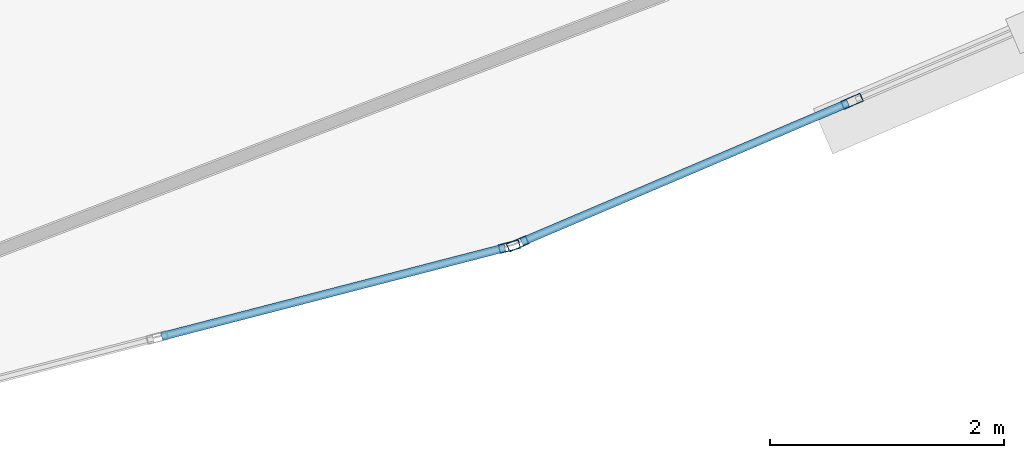
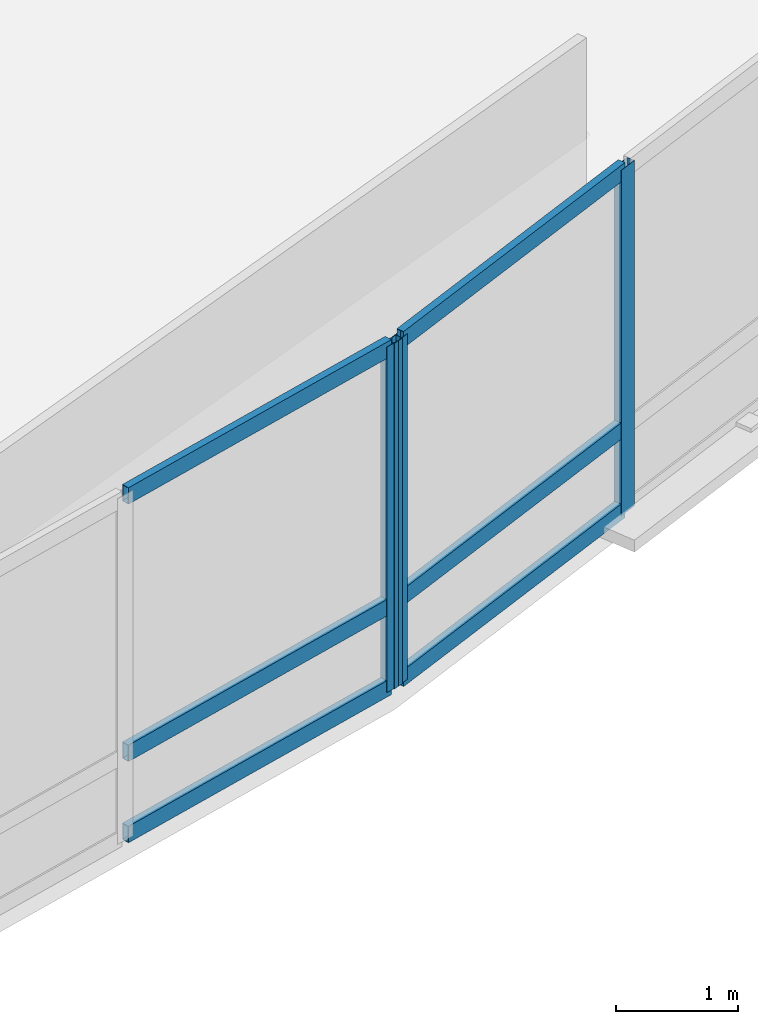
# One storey, part 6 of 20: 9 members, 2 elements without a shape of their own.
"""IFC4 building model written with IfcOpenShell, lengths in metres."""

from ifc_helpers import new_model, si_unit, direction, frame, origin, origin_2d, place, context, subcontext, project, spatial, hollow_rectangle, extrude, material, layer, layer_set, material_profile, profile_set, type_object, element, aggregate, save


model = new_model("IFC4")

# Units and contexts
model_context = context("Model", 3, precision=1e-05, world=origin(), true_north=direction((0.0, 1.0)))
body_context = subcontext(model_context, "Body", "Model", "MODEL_VIEW")
ifc_project = project(units=[si_unit("LENGTHUNIT", "METRE"), si_unit("AREAUNIT", "SQUARE_METRE"), si_unit("VOLUMEUNIT", "CUBIC_METRE"), si_unit("PLANEANGLEUNIT", "RADIAN"), si_unit("MASSUNIT", "GRAM", prefix="KILO")], contexts=[model_context])

# Site, building, storey
site_placement = place(None, origin())
site = spatial("IfcSite", under=ifc_project, at=site_placement, CompositionType="ELEMENT")
building_placement = place(site_placement, origin())
building = spatial("IfcBuilding", under=site, at=building_placement, Name="Menara Vayukalpa", CompositionType="ELEMENT")
storey_placement = place(building_placement, frame((0.0, 0.0, 61.080078125)))
storey = spatial("IfcBuildingStorey", under=building, at=storey_placement, Name="L14", CompositionType="ELEMENT", Elevation=61.080078125)

# Curtain wall, member
ifc_material_1 = material(Name="Anodised Terracotta Aluminium Alloy 6063-T6", Category="masonry")
ifc_layer = layer(ifc_material_1, 0.179931640625)
ifc_layer_set = layer_set([ifc_layer], Name="Anodised Terracotta Aluminium Alloy 6063-T6")
curtain_wall_type = type_object("IfcCurtainWallType", Name="CW-CW4", PredefinedType="USERDEFINED", material=ifc_layer_set)
curtain_wall_1_placement = place(storey_placement, origin())
curtain_wall_1 = element("IfcCurtainWall", 1, at=curtain_wall_1_placement, inside=storey, type_object=curtain_wall_type, Name="L14 Sky Bar Cantilever Glazed Curtain Wall CW4 16", ObjectType="UNITISED", PredefinedType="USERDEFINED")
ifc_material_2 = material(Name="Anodised Terracotta Aluminium Alloy 6063-T6", Category="masonry")
ifc_material_profile_1 = material_profile(ifc_material_2, hollow_rectangle(XDim=0.074951171875, YDim=0.179931640625, WallThickness=0.00390625, at=origin_2d()), Name="ALU 75x180x4")
ifc_profile_set_1 = profile_set([ifc_material_profile_1], Name="Anodised Terracotta Aluminium Alloy 6063-T6")
member_type_1 = type_object("IfcMemberType", Name="CWM-CW4", PredefinedType="MULLION", material=ifc_profile_set_1)
member_1_placement = place(storey_placement, frame((38.3837890625, 10.78466796875, 0.0), z_axis=(0.0, 0.0, 1.0), x_axis=(-0.25040286747, 0.968141727209, 0.0)))
member_1 = element("IfcMember", 2, at=member_1_placement, type_object=member_type_1, Name="CW4 mullion 4", PredefinedType="MULLION", context=body_context, shape_type="SweptSolid", body=[
    extrude(hollow_rectangle(XDim=0.074951171875, YDim=0.179931640625, WallThickness=0.00390625, at=origin_2d()), origin(), (0.0, 0.0, 1.0), 3.469970703125),
])

# Curtain wall, members
curtain_wall_2_placement = place(storey_placement, origin())
curtain_wall_2 = element("IfcCurtainWall", 3, at=curtain_wall_2_placement, inside=storey, type_object=curtain_wall_type, Name="L14 Sky Bar Cantilever Glazed Curtain Wall CW4 17", ObjectType="UNITISED", PredefinedType="USERDEFINED")
member_2_placement = place(storey_placement, frame((38.45458984375, 10.80859375, 0.0), z_axis=(0.0, 0.0, 1.0), x_axis=(-0.392008132718, 0.919961751315, 0.0)))
member_2 = element("IfcMember", 4, at=member_2_placement, type_object=member_type_1, Name="CW4 mullion 1", PredefinedType="MULLION", context=body_context, shape_type="SweptSolid", body=[
    extrude(hollow_rectangle(XDim=0.074951171875, YDim=0.179931640625, WallThickness=0.00390625, at=origin_2d()), origin(), (0.0, 0.0, 1.0), 3.469970703125),
])
member_3_placement = place(storey_placement, frame((41.3125, 12.026611328125, 0.0), z_axis=(0.0, 0.0, 1.0), x_axis=(-0.392008132718, 0.919961751315, 0.0)))
member_3 = element("IfcMember", 5, at=member_3_placement, type_object=member_type_1, Name="CW4 mullion 2", PredefinedType="MULLION", context=body_context, shape_type="SweptSolid", body=[
    extrude(hollow_rectangle(XDim=0.074951171875, YDim=0.179931640625, WallThickness=0.00390625, at=origin_2d()), origin(), (0.0, 0.0, 1.0), 3.469970703125),
])

# Member
ifc_material_3 = material(Name="Anodised Terracotta Aluminium Alloy 6063-T6", Category="masonry")
ifc_material_profile_2 = material_profile(ifc_material_3, hollow_rectangle(XDim=0.070068359375, YDim=0.1650390625, WallThickness=0.00390625, at=origin_2d()), Name="ALU 70x165x4")
ifc_profile_set_2 = profile_set([ifc_material_profile_2], Name="Anodised Terracotta Aluminium Alloy 6063-T6")
member_type_2 = type_object("IfcMemberType", Name="CWT-CW4", PredefinedType="USERDEFINED", material=ifc_profile_set_2)
member_4_placement = place(storey_placement, frame((35.412353515625, 10.01611328125, 0.034912109375), z_axis=(0.968149604166, 0.250372410527, 0.0), x_axis=(-0.250372410527, 0.968149604166, 0.0)))
member_4 = element("IfcMember", 6, at=member_4_placement, type_object=member_type_2, Name="CW4 transom 3.1", ObjectType="TRANSOM", PredefinedType="USERDEFINED", context=body_context, shape_type="SweptSolid", body=[
    extrude(hollow_rectangle(XDim=0.070068359375, YDim=0.1650390625, WallThickness=0.00390625, at=origin_2d()), origin(), (0.0, 0.0, 1.0), 3.03173828125),
])

member_5_placement = place(storey_placement, frame((35.412353515625, 10.01611328125, 0.849853515625), z_axis=(0.968149604166, 0.250372410527, 0.0), x_axis=(-0.250372410527, 0.968149604166, 0.0)))
member_5 = element("IfcMember", 7, at=member_5_placement, type_object=member_type_2, Name="CW4 transom 3.2", ObjectType="TRANSOM", PredefinedType="USERDEFINED", context=body_context, shape_type="SweptSolid", body=[
    extrude(hollow_rectangle(XDim=0.070068359375, YDim=0.1650390625, WallThickness=0.00390625, at=origin_2d()), origin(), (0.0, 0.0, 1.0), 3.03173828125),
])

member_6_placement = place(storey_placement, frame((35.412353515625, 10.01611328125, 3.434814453125), z_axis=(0.968149604166, 0.250372410527, 0.0), x_axis=(-0.250372410527, 0.968149604166, 0.0)))
member_6 = element("IfcMember", 8, at=member_6_placement, type_object=member_type_2, Name="CW4 transom 3.3", ObjectType="TRANSOM", PredefinedType="USERDEFINED", context=body_context, shape_type="SweptSolid", body=[
    extrude(hollow_rectangle(XDim=0.070068359375, YDim=0.1650390625, WallThickness=0.00390625, at=origin_2d()), origin(), (0.0, 0.0, 1.0), 3.03173828125),
])

aggregate(curtain_wall_1, [member_1, member_4, member_5, member_6])

member_7_placement = place(storey_placement, frame((38.489013671875, 10.823486328125, 0.034912109375), z_axis=(0.919988490059, 0.391945376498, 0.0), x_axis=(-0.391945376498, 0.919988490059, 0.0)))
member_7 = element("IfcMember", 9, at=member_7_placement, type_object=member_type_2, Name="CW4 transom 1.1", ObjectType="TRANSOM", PredefinedType="USERDEFINED", context=body_context, shape_type="SweptSolid", body=[
    extrude(hollow_rectangle(XDim=0.070068359375, YDim=0.1650390625, WallThickness=0.00390625, at=origin_2d()), origin(), (0.0, 0.0, 1.0), 3.03173828125),
])

member_8_placement = place(storey_placement, frame((38.489013671875, 10.823486328125, 0.849853515625), z_axis=(0.919988490059, 0.391945376498, 0.0), x_axis=(-0.391945376498, 0.919988490059, 0.0)))
member_8 = element("IfcMember", 10, at=member_8_placement, type_object=member_type_2, Name="CW4 transom 1.2", ObjectType="TRANSOM", PredefinedType="USERDEFINED", context=body_context, shape_type="SweptSolid", body=[
    extrude(hollow_rectangle(XDim=0.070068359375, YDim=0.1650390625, WallThickness=0.00390625, at=origin_2d()), origin(), (0.0, 0.0, 1.0), 3.03173828125),
])

member_9_placement = place(storey_placement, frame((38.489013671875, 10.823486328125, 3.434814453125), z_axis=(0.919988490059, 0.391945376498, 0.0), x_axis=(-0.391945376498, 0.919988490059, 0.0)))
member_9 = element("IfcMember", 11, at=member_9_placement, type_object=member_type_2, Name="CW4 transom 1.3", ObjectType="TRANSOM", PredefinedType="USERDEFINED", context=body_context, shape_type="SweptSolid", body=[
    extrude(hollow_rectangle(XDim=0.070068359375, YDim=0.1650390625, WallThickness=0.00390625, at=origin_2d()), origin(), (0.0, 0.0, 1.0), 3.03173828125),
])

aggregate(curtain_wall_2, [member_2, member_3, member_7, member_8, member_9])

save(model, "model.ifc")
